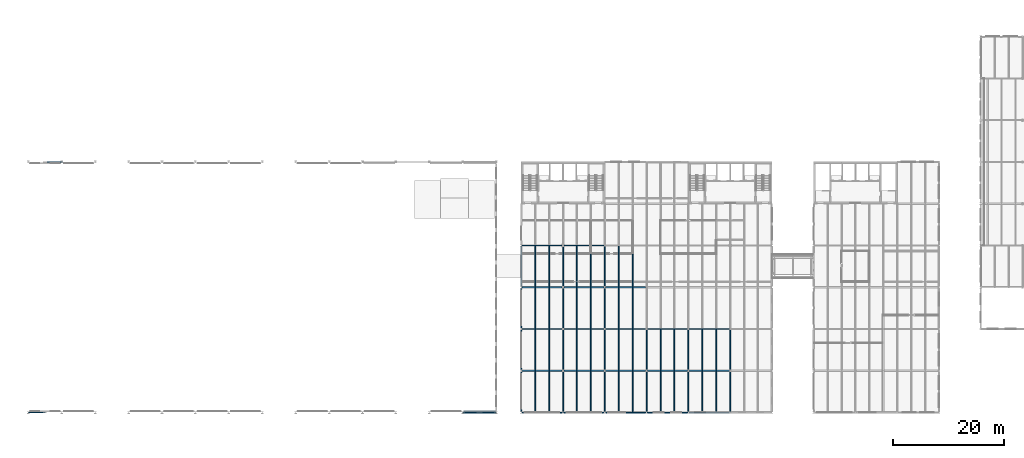
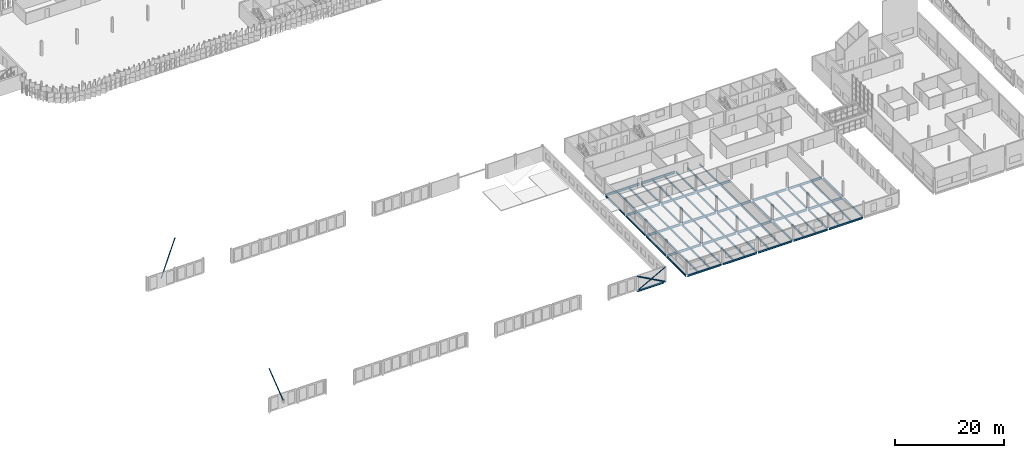
# One storey, part 29 of 198: 71 beams, 5 members.
"""IFC4 building model written with IfcOpenShell, lengths in metres."""

import ifcopenshell
import ifcopenshell.guid

model = None  # the IFC model being written
_history = None  # IfcOwnerHistory: only IFC2X3 demands one
_inside = {}  # id of a spatial element -> (the spatial element, [elements in it])
_under = {}  # id of a project, library or spatial element -> (it, [spatial elements below it])
_declared = {}  # id of a project -> (the project, [libraries it declares])
_typed = {}  # id of a type object -> (the type object, [elements of that type])
_made_of = {}  # id of a material, layer set ... -> (it, [elements and type objects made of it])


def new_model(schema):
    """Start an empty IFC model of exactly this schema.

    Asked for "IFC4X3", IfcOpenShell would pick the latest addendum, in which some entities
    have other attributes; the version numbers below select the first issue.
    IFC2X3 requires an IfcOwnerHistory on every rooted entity: one is made here for all.
    """
    global model, _history
    if schema == "IFC4X3":
        model = ifcopenshell.file(schema_version=(4, 3, 0, 0))
    else:
        model = ifcopenshell.file(schema=schema)
    _inside.clear()
    _under.clear()
    _declared.clear()
    _typed.clear()
    _made_of.clear()
    _history = None
    if model.schema == "IFC2X3":
        org = make("IfcOrganization", Name="unknown")
        user = make(
            "IfcPersonAndOrganization",
            ThePerson=make("IfcPerson", FamilyName="unknown"),
            TheOrganization=org,
        )
        app = make(
            "IfcApplication",
            ApplicationDeveloper=org,
            Version="unknown",
            ApplicationFullName="unknown",
            ApplicationIdentifier="unknown",
        )
        _history = make(
            "IfcOwnerHistory",
            OwningUser=user,
            OwningApplication=app,
            ChangeAction="ADDED",
            CreationDate=0,
        )
    return model


def make(cls, **values):
    """One entity of the class cls with the attributes given. An attribute that is None is left unset."""
    return model.create_entity(
        cls, **{name: value for name, value in values.items() if value is not None}
    )


def rooted(cls, **values):
    """An entity with a GlobalId (a new one), such as an element, a storey or a relation."""
    return make(cls, GlobalId=ifcopenshell.guid.new(), OwnerHistory=_history, **values)


def si_unit(unit_type, name, prefix=None):
    """IfcSIUnit, for example si_unit("LENGTHUNIT", "METRE", prefix="MILLI")."""
    return make("IfcSIUnit", UnitType=unit_type, Prefix=prefix, Name=name)


def assignment(units):
    """IfcUnitAssignment: the units of a project."""
    return None if units is None else make("IfcUnitAssignment", Units=units)


def point(xyz):
    """IfcCartesianPoint."""
    return None if xyz is None else make("IfcCartesianPoint", Coordinates=xyz)


def direction(xyz):
    """IfcDirection."""
    return None if xyz is None else make("IfcDirection", DirectionRatios=xyz)


def frame(location, z_axis=None, x_axis=None):
    """IfcAxis2Placement3D, a coordinate frame: its origin and axes. An axis left out is left unset."""
    return make(
        "IfcAxis2Placement3D",
        Location=point(location),
        Axis=direction(z_axis),
        RefDirection=direction(x_axis),
    )


def frame_2d(location, x_axis=None):
    """IfcAxis2Placement2D, a coordinate frame in the plane: its origin and x axis."""
    return make(
        "IfcAxis2Placement2D", Location=point(location), RefDirection=direction(x_axis)
    )


def origin():
    """The frame at (0, 0, 0) with its axes left unset."""
    return frame((0.0, 0.0, 0.0))


def origin_2d():
    """The frame at (0, 0) in the plane with its x axis left unset."""
    return frame_2d((0.0, 0.0))


def place(relative_to, where):
    """IfcLocalPlacement: puts the frame where relative to a parent placement (None: the world)."""
    return make(
        "IfcLocalPlacement", PlacementRelTo=relative_to, RelativePlacement=where
    )


def context(
    kind, dimensions, precision=None, world=None, true_north=None, identifier=None
):
    """IfcGeometricRepresentationContext, for example the 3D "Model" context."""
    return make(
        "IfcGeometricRepresentationContext",
        ContextIdentifier=identifier,
        ContextType=kind,
        CoordinateSpaceDimension=dimensions,
        Precision=precision,
        WorldCoordinateSystem=world,
        TrueNorth=true_north,
    )


def subcontext(parent, identifier, kind, view, scale=None):
    """IfcGeometricRepresentationSubContext, for example "Body" below "Model"."""
    return make(
        "IfcGeometricRepresentationSubContext",
        ContextIdentifier=identifier,
        ContextType=kind,
        ParentContext=parent,
        TargetScale=scale,
        TargetView=view,
    )


def project(units=None, contexts=None):
    """IfcProject with its units and contexts."""
    return rooted(
        "IfcProject",
        Name="project",
        RepresentationContexts=contexts,
        UnitsInContext=assignment(units),
    )


def spatial(cls, under=None, at=None, **own):
    """A site, building, storey or space (cls), placed at a placement, below another one or the project."""
    s = rooted(cls, ObjectPlacement=at, **own)
    if under is not None:
        _under.setdefault(under.id(), (under, []))[1].append(s)
    return s


def profile(cls, at=None, kind="AREA", **sizes):
    """A parametric profile (cls). Its sizes go by their IFC names, for example OverallWidth=200.0."""
    return make(cls, ProfileType=kind, Position=at, **sizes)


def hollow_circle(**sizes):
    """IfcCircleHollowProfileDef."""
    return profile("IfcCircleHollowProfileDef", **sizes)


def i_section(**sizes):
    """IfcIShapeProfileDef."""
    return profile("IfcIShapeProfileDef", **sizes)


def extrude(swept, where, along, depth):
    """IfcExtrudedAreaSolid: the profile swept, set in the frame where, extruded along a direction by depth."""
    return make(
        "IfcExtrudedAreaSolid",
        SweptArea=swept,
        Position=where,
        ExtrudedDirection=direction(along),
        Depth=depth,
    )


def shape(context_of_items, identifier, shape_type, items):
    """IfcShapeRepresentation: the items that make up one representation, for example the "Body"."""
    return make(
        "IfcShapeRepresentation",
        ContextOfItems=context_of_items,
        RepresentationIdentifier=identifier,
        RepresentationType=shape_type,
        Items=items,
    )


def material(Name=None, Category=None):
    """IfcMaterial."""
    return make("IfcMaterial", Name=Name, Category=Category)


def material_profile(
    of_material, cross_section, Name=None, Category=None, Priority=None
):
    """IfcMaterialProfile: a cross section and its material."""
    return make(
        "IfcMaterialProfile",
        Name=Name,
        Material=of_material,
        Profile=cross_section,
        Priority=Priority,
        Category=Category,
    )


def profile_set(profiles, Name=None, composite=None):
    """IfcMaterialProfileSet."""
    return make(
        "IfcMaterialProfileSet",
        Name=Name,
        MaterialProfiles=profiles,
        CompositeProfile=composite,
    )


def made_of(thing, what):
    """Note that an element or type object is made of a material, layer set ...; save() writes the relation."""
    if what is not None:
        _made_of.setdefault(what.id(), (what, []))[1].append(thing)
    return thing


def type_object(cls, material=None, **own):
    """A type object (cls), such as IfcWallType, which elements share."""
    return made_of(rooted(cls, **own), material)


def element(
    cls,
    number,
    at=None,
    inside=None,
    cuts=None,
    type_object=None,
    material=None,
    context=None,
    identifier="Body",
    shape_type=None,
    held_by="IfcProductDefinitionShape",
    body=None,
    shapes=None,
    **own,
):
    """One element of the class cls, such as IfcWall. Its Tag is "e" and its number.

    at: its placement. inside: the storey or other place that contains it. cuts: it is an
    opening in that element (IfcRelVoidsElement). A single representation is given by context,
    identifier, shape_type and body (its items); several are given by shapes. held_by: the class
    of the entity that holds the representations. save() writes the other relations.
    """
    e = rooted(cls, Tag="e%d" % number, ObjectPlacement=at, **own)
    if body is not None:
        shapes = [shape(context, identifier, shape_type, body)]
    if shapes is not None:
        e.Representation = make(held_by, Representations=shapes)
    if inside is not None:
        _inside.setdefault(inside.id(), (inside, []))[1].append(e)
    if cuts is not None:
        rooted(
            "IfcRelVoidsElement", RelatingBuildingElement=cuts, RelatedOpeningElement=e
        )
    if type_object is not None:
        _typed.setdefault(type_object.id(), (type_object, []))[1].append(e)
    return made_of(e, material)


def aggregate(whole, parts):
    """IfcRelAggregates: a whole, such as a stair, and the parts it consists of."""
    return rooted("IfcRelAggregates", RelatingObject=whole, RelatedObjects=parts)


def save(model, path):
    """Write the relations noted so far, then the file.

    IfcRelAggregates (storeys below a building ...), IfcRelContainedInSpatialStructure (elements
    in a storey), IfcRelDefinesByType, IfcRelAssociatesMaterial and IfcRelDeclares: one each for
    every whole, place, type object, material and project.
    """
    for whole, parts in _under.values():
        aggregate(whole, parts)
    for where, things in _inside.values():
        rooted(
            "IfcRelContainedInSpatialStructure",
            RelatedElements=things,
            RelatingStructure=where,
        )
    for kind, things in _typed.values():
        rooted("IfcRelDefinesByType", RelatedObjects=things, RelatingType=kind)
    for what, things in _made_of.values():
        rooted("IfcRelAssociatesMaterial", RelatedObjects=things, RelatingMaterial=what)
    for by, libraries in _declared.values():
        rooted("IfcRelDeclares", RelatingContext=by, RelatedDefinitions=libraries)
    model.write(path)


model = new_model("IFC4")

# Units and contexts
model_context = context("Model", 3, precision=1e-05, world=origin(), true_north=direction((0.0, 1.0)))
body_context = subcontext(model_context, "Body", "Model", "MODEL_VIEW")
ifc_project = project(units=[si_unit("LENGTHUNIT", "METRE"), si_unit("AREAUNIT", "SQUARE_METRE"), si_unit("VOLUMEUNIT", "CUBIC_METRE"), si_unit("PLANEANGLEUNIT", "RADIAN"), si_unit("MASSUNIT", "GRAM", prefix="KILO")], contexts=[model_context])

# Site, building, storey
site_placement = place(None, origin())
site = spatial("IfcSite", under=ifc_project, at=site_placement, CompositionType="ELEMENT")
building_placement = place(site_placement, origin())
building = spatial("IfcBuilding", under=site, at=building_placement, Name="Parallax Yard Mobility Hub", CompositionType="ELEMENT")
storey_placement = place(building_placement, frame((0.0, 0.0, 6.60009765625)))
storey = spatial("IfcBuildingStorey", under=building, at=storey_placement, Name="L02", CompositionType="ELEMENT", Elevation=6.60009765625)

# Beams
ifc_material_1 = material(Name="Steel ASTM A992", Category="steel")
ifc_material_profile_1 = material_profile(ifc_material_1, i_section(OverallWidth=0.177978515625, OverallDepth=0.406005859375, WebThickness=0.0078125, FlangeThickness=0.0126953125, FilletRadius=0.01025390625, at=origin_2d()), Name="W410x60")
ifc_profile_set_1 = profile_set([ifc_material_profile_1], Name="Steel ASTM A992")
beam_type_1 = type_object("IfcBeamType", Name="W410x60 edge beam", PredefinedType="SPANDREL", material=ifc_profile_set_1)
beam_1_placement = place(storey_placement, frame((87.1865234375, 7.7265625, -0.203125), z_axis=(1.0, 0.0, 0.0), x_axis=(0.0, 1.0, 0.0)))
element("IfcBeam", 1, at=beam_1_placement, inside=storey, type_object=beam_type_1, Name="Edge beam SB1 level L02, south gable between fold lines F14 and F15 of bus and taxi deck, span 1", PredefinedType="SPANDREL", context=body_context, shape_type="SweptSolid", body=[
    extrude(i_section(OverallWidth=0.177978515625, OverallDepth=0.406005859375, WebThickness=0.0078125, FlangeThickness=0.0126953125, FilletRadius=0.01025390625, at=origin_2d()), origin(), (0.0, 0.0, 1.0), 5.626953125),
])
ifc_material_profile_2 = material_profile(ifc_material_1, i_section(OverallWidth=0.177978515625, OverallDepth=0.406005859375, WebThickness=0.0078125, FlangeThickness=0.0126953125, FilletRadius=0.01025390625, at=origin_2d()), Name="W410x60")
ifc_profile_set_2 = profile_set([ifc_material_profile_2], Name="Steel ASTM A992")
beam_type_2 = type_object("IfcBeamType", Name="W410x60 secondary beam", PredefinedType="JOIST", material=ifc_profile_set_2)
beam_2_placement = place(storey_placement, frame((100.0, 7.589599609375, -0.343017578125), z_axis=(0.0, 1.0, 0.0), x_axis=(-1.0, 0.0, 0.0)))
element("IfcBeam", 2, at=beam_2_placement, inside=storey, type_object=beam_type_2, Name="Secondary beam B1 level L02, 2.5 m east of line 14 of mobility service centre and workshops, span 1", PredefinedType="JOIST", context=body_context, shape_type="SweptSolid", body=[
    extrude(i_section(OverallWidth=0.177978515625, OverallDepth=0.406005859375, WebThickness=0.0078125, FlangeThickness=0.0126953125, FilletRadius=0.01025390625, at=origin_2d()), origin(), (0.0, 0.0, 1.0), 7.305908203125),
])
for number, where, z_axis, x_axis, name in (
    (3, (100.0, 15.1044921875, -0.343017578125), (0.0, 1.0, 0.0), (-1.0, 0.0, 0.0), "Secondary beam B1 level L02, 2.5 m east of line 14 of mobility service centre and workshops, span 2"),
    (4, (100.0, 22.6044921875, -0.343017578125), (0.0, 1.0, 0.0), (-1.0, 0.0, 0.0), "Secondary beam B1 level L02, 2.5 m east of line 14 of mobility service centre and workshops, span 3"),
    (5, (100.0, 30.1044921875, -0.343017578125), (0.0, 1.0, 0.0), (-1.0, 0.0, 0.0), "Secondary beam B1 level L02, 2.5 m east of line 14 of mobility service centre and workshops, span 4"),
):
    element("IfcBeam", number, at=place(storey_placement, frame(where, z_axis=z_axis, x_axis=x_axis)), inside=storey, type_object=beam_type_2, Name=name, PredefinedType="JOIST", context=body_context, shape_type="SweptSolid", body=[
        extrude(i_section(OverallWidth=0.177978515625, OverallDepth=0.406005859375, WebThickness=0.0078125, FlangeThickness=0.0126953125, FilletRadius=0.01025390625, at=origin_2d()), origin(), (0.0, 0.0, 1.0), 7.291015625),
    ])
beam_3_placement = place(storey_placement, frame((107.5, 7.589599609375, -0.343017578125), z_axis=(0.0, 1.0, 0.0), x_axis=(-1.0, 0.0, 0.0)))
element("IfcBeam", 6, at=beam_3_placement, inside=storey, type_object=beam_type_2, Name="Secondary beam B1 level L02, 2.5 m east of line 15 of mobility service centre and workshops, span 1", PredefinedType="JOIST", context=body_context, shape_type="SweptSolid", body=[
    extrude(i_section(OverallWidth=0.177978515625, OverallDepth=0.406005859375, WebThickness=0.0078125, FlangeThickness=0.0126953125, FilletRadius=0.01025390625, at=origin_2d()), origin(), (0.0, 0.0, 1.0), 7.305908203125),
])
for number, where, z_axis, x_axis, name in (
    (7, (107.5, 15.1044921875, -0.343017578125), (0.0, 1.0, 0.0), (-1.0, 0.0, 0.0), "Secondary beam B1 level L02, 2.5 m east of line 15 of mobility service centre and workshops, span 2"),
    (8, (107.5, 22.6044921875, -0.343017578125), (0.0, 1.0, 0.0), (-1.0, 0.0, 0.0), "Secondary beam B1 level L02, 2.5 m east of line 15 of mobility service centre and workshops, span 3"),
    (9, (107.5, 30.1044921875, -0.343017578125), (0.0, 1.0, 0.0), (-1.0, 0.0, 0.0), "Secondary beam B1 level L02, 2.5 m east of line 15 of mobility service centre and workshops, span 4"),
):
    element("IfcBeam", number, at=place(storey_placement, frame(where, z_axis=z_axis, x_axis=x_axis)), inside=storey, type_object=beam_type_2, Name=name, PredefinedType="JOIST", context=body_context, shape_type="SweptSolid", body=[
        extrude(i_section(OverallWidth=0.177978515625, OverallDepth=0.406005859375, WebThickness=0.0078125, FlangeThickness=0.0126953125, FilletRadius=0.01025390625, at=origin_2d()), origin(), (0.0, 0.0, 1.0), 7.291015625),
    ])
beam_4_placement = place(storey_placement, frame((115.0, 7.589599609375, -0.343017578125), z_axis=(0.0, 1.0, 0.0), x_axis=(-1.0, 0.0, 0.0)))
element("IfcBeam", 10, at=beam_4_placement, inside=storey, type_object=beam_type_2, Name="Secondary beam B1 level L02, 2.5 m east of line 16 of mobility service centre and workshops, span 1", PredefinedType="JOIST", context=body_context, shape_type="SweptSolid", body=[
    extrude(i_section(OverallWidth=0.177978515625, OverallDepth=0.406005859375, WebThickness=0.0078125, FlangeThickness=0.0126953125, FilletRadius=0.01025390625, at=origin_2d()), origin(), (0.0, 0.0, 1.0), 7.305908203125),
])
for number, where, z_axis, x_axis, name in (
    (11, (115.0, 15.1044921875, -0.343017578125), (0.0, 1.0, 0.0), (-1.0, 0.0, 0.0), "Secondary beam B1 level L02, 2.5 m east of line 16 of mobility service centre and workshops, span 2"),
    (12, (115.0, 22.6044921875, -0.343017578125), (0.0, 1.0, 0.0), (-1.0, 0.0, 0.0), "Secondary beam B1 level L02, 2.5 m east of line 16 of mobility service centre and workshops, span 3"),
    (13, (115.0, 30.1044921875, -0.343017578125), (0.0, 1.0, 0.0), (-1.0, 0.0, 0.0), "Secondary beam B1 level L02, 2.5 m east of line 16 of mobility service centre and workshops, span 4"),
):
    element("IfcBeam", number, at=place(storey_placement, frame(where, z_axis=z_axis, x_axis=x_axis)), inside=storey, type_object=beam_type_2, Name=name, PredefinedType="JOIST", context=body_context, shape_type="SweptSolid", body=[
        extrude(i_section(OverallWidth=0.177978515625, OverallDepth=0.406005859375, WebThickness=0.0078125, FlangeThickness=0.0126953125, FilletRadius=0.01025390625, at=origin_2d()), origin(), (0.0, 0.0, 1.0), 7.291015625),
    ])
beam_5_placement = place(storey_placement, frame((122.5, 7.589599609375, -0.343017578125), z_axis=(0.0, 1.0, 0.0), x_axis=(-1.0, 0.0, 0.0)))
element("IfcBeam", 14, at=beam_5_placement, inside=storey, type_object=beam_type_2, Name="Secondary beam B1 level L02, 2.5 m east of line 17 of mobility service centre and workshops, span 1", PredefinedType="JOIST", context=body_context, shape_type="SweptSolid", body=[
    extrude(i_section(OverallWidth=0.177978515625, OverallDepth=0.406005859375, WebThickness=0.0078125, FlangeThickness=0.0126953125, FilletRadius=0.01025390625, at=origin_2d()), origin(), (0.0, 0.0, 1.0), 7.305908203125),
])
beam_6_placement = place(storey_placement, frame((122.5, 15.1044921875, -0.343017578125), z_axis=(0.0, 1.0, 0.0), x_axis=(-1.0, 0.0, 0.0)))
element("IfcBeam", 15, at=beam_6_placement, inside=storey, type_object=beam_type_2, Name="Secondary beam B1 level L02, 2.5 m east of line 17 of mobility service centre and workshops, span 2", PredefinedType="JOIST", context=body_context, shape_type="SweptSolid", body=[
    extrude(i_section(OverallWidth=0.177978515625, OverallDepth=0.406005859375, WebThickness=0.0078125, FlangeThickness=0.0126953125, FilletRadius=0.01025390625, at=origin_2d()), origin(), (0.0, 0.0, 1.0), 7.291015625),
])
beam_7_placement = place(storey_placement, frame((130.0, 7.589599609375, -0.343017578125), z_axis=(0.0, 1.0, 0.0), x_axis=(-1.0, 0.0, 0.0)))
element("IfcBeam", 16, at=beam_7_placement, inside=storey, type_object=beam_type_2, Name="Secondary beam B1 level L02, 2.5 m east of line 18 of mobility service centre and workshops, span 1", PredefinedType="JOIST", context=body_context, shape_type="SweptSolid", body=[
    extrude(i_section(OverallWidth=0.177978515625, OverallDepth=0.406005859375, WebThickness=0.0078125, FlangeThickness=0.0126953125, FilletRadius=0.01025390625, at=origin_2d()), origin(), (0.0, 0.0, 1.0), 7.305908203125),
])
beam_8_placement = place(storey_placement, frame((130.0, 15.1044921875, -0.343017578125), z_axis=(0.0, 1.0, 0.0), x_axis=(-1.0, 0.0, 0.0)))
element("IfcBeam", 17, at=beam_8_placement, inside=storey, type_object=beam_type_2, Name="Secondary beam B1 level L02, 2.5 m east of line 18 of mobility service centre and workshops, span 2", PredefinedType="JOIST", context=body_context, shape_type="SweptSolid", body=[
    extrude(i_section(OverallWidth=0.177978515625, OverallDepth=0.406005859375, WebThickness=0.0078125, FlangeThickness=0.0126953125, FilletRadius=0.01025390625, at=origin_2d()), origin(), (0.0, 0.0, 1.0), 7.291015625),
])
beam_9_placement = place(storey_placement, frame((102.5, 7.589599609375, -0.343017578125), z_axis=(0.0, 1.0, 0.0), x_axis=(-1.0, 0.0, 0.0)))
element("IfcBeam", 18, at=beam_9_placement, inside=storey, type_object=beam_type_2, Name="Secondary beam B1 level L02, 5 m east of line 14 of mobility service centre and workshops, span 1", PredefinedType="JOIST", context=body_context, shape_type="SweptSolid", body=[
    extrude(i_section(OverallWidth=0.177978515625, OverallDepth=0.406005859375, WebThickness=0.0078125, FlangeThickness=0.0126953125, FilletRadius=0.01025390625, at=origin_2d()), origin(), (0.0, 0.0, 1.0), 7.305908203125),
])
for number, where, z_axis, x_axis, name in (
    (19, (102.5, 15.1044921875, -0.343017578125), (0.0, 1.0, 0.0), (-1.0, 0.0, 0.0), "Secondary beam B1 level L02, 5 m east of line 14 of mobility service centre and workshops, span 2"),
    (20, (102.5, 22.6044921875, -0.343017578125), (0.0, 1.0, 0.0), (-1.0, 0.0, 0.0), "Secondary beam B1 level L02, 5 m east of line 14 of mobility service centre and workshops, span 3"),
    (21, (102.5, 30.1044921875, -0.343017578125), (0.0, 1.0, 0.0), (-1.0, 0.0, 0.0), "Secondary beam B1 level L02, 5 m east of line 14 of mobility service centre and workshops, span 4"),
):
    element("IfcBeam", number, at=place(storey_placement, frame(where, z_axis=z_axis, x_axis=x_axis)), inside=storey, type_object=beam_type_2, Name=name, PredefinedType="JOIST", context=body_context, shape_type="SweptSolid", body=[
        extrude(i_section(OverallWidth=0.177978515625, OverallDepth=0.406005859375, WebThickness=0.0078125, FlangeThickness=0.0126953125, FilletRadius=0.01025390625, at=origin_2d()), origin(), (0.0, 0.0, 1.0), 7.291015625),
    ])
beam_10_placement = place(storey_placement, frame((110.0, 7.589599609375, -0.343017578125), z_axis=(0.0, 1.0, 0.0), x_axis=(-1.0, 0.0, 0.0)))
element("IfcBeam", 22, at=beam_10_placement, inside=storey, type_object=beam_type_2, Name="Secondary beam B1 level L02, 5 m east of line 15 of mobility service centre and workshops, span 1", PredefinedType="JOIST", context=body_context, shape_type="SweptSolid", body=[
    extrude(i_section(OverallWidth=0.177978515625, OverallDepth=0.406005859375, WebThickness=0.0078125, FlangeThickness=0.0126953125, FilletRadius=0.01025390625, at=origin_2d()), origin(), (0.0, 0.0, 1.0), 7.305908203125),
])
for number, where, z_axis, x_axis, name in (
    (23, (110.0, 15.1044921875, -0.343017578125), (0.0, 1.0, 0.0), (-1.0, 0.0, 0.0), "Secondary beam B1 level L02, 5 m east of line 15 of mobility service centre and workshops, span 2"),
    (24, (110.0, 22.6044921875, -0.343017578125), (0.0, 1.0, 0.0), (-1.0, 0.0, 0.0), "Secondary beam B1 level L02, 5 m east of line 15 of mobility service centre and workshops, span 3"),
    (25, (110.0, 30.1044921875, -0.343017578125), (0.0, 1.0, 0.0), (-1.0, 0.0, 0.0), "Secondary beam B1 level L02, 5 m east of line 15 of mobility service centre and workshops, span 4"),
):
    element("IfcBeam", number, at=place(storey_placement, frame(where, z_axis=z_axis, x_axis=x_axis)), inside=storey, type_object=beam_type_2, Name=name, PredefinedType="JOIST", context=body_context, shape_type="SweptSolid", body=[
        extrude(i_section(OverallWidth=0.177978515625, OverallDepth=0.406005859375, WebThickness=0.0078125, FlangeThickness=0.0126953125, FilletRadius=0.01025390625, at=origin_2d()), origin(), (0.0, 0.0, 1.0), 7.291015625),
    ])
beam_11_placement = place(storey_placement, frame((117.5, 7.589599609375, -0.343017578125), z_axis=(0.0, 1.0, 0.0), x_axis=(-1.0, 0.0, 0.0)))
element("IfcBeam", 26, at=beam_11_placement, inside=storey, type_object=beam_type_2, Name="Secondary beam B1 level L02, 5 m east of line 16 of mobility service centre and workshops, span 1", PredefinedType="JOIST", context=body_context, shape_type="SweptSolid", body=[
    extrude(i_section(OverallWidth=0.177978515625, OverallDepth=0.406005859375, WebThickness=0.0078125, FlangeThickness=0.0126953125, FilletRadius=0.01025390625, at=origin_2d()), origin(), (0.0, 0.0, 1.0), 7.305908203125),
])
for number, where, z_axis, x_axis, name in (
    (27, (117.5, 15.1044921875, -0.343017578125), (0.0, 1.0, 0.0), (-1.0, 0.0, 0.0), "Secondary beam B1 level L02, 5 m east of line 16 of mobility service centre and workshops, span 2"),
    (28, (117.5, 22.6044921875, -0.343017578125), (0.0, 1.0, 0.0), (-1.0, 0.0, 0.0), "Secondary beam B1 level L02, 5 m east of line 16 of mobility service centre and workshops, span 3"),
    (29, (117.5, 30.1044921875, -0.343017578125), (0.0, 1.0, 0.0), (-1.0, 0.0, 0.0), "Secondary beam B1 level L02, 5 m east of line 16 of mobility service centre and workshops, span 4"),
):
    element("IfcBeam", number, at=place(storey_placement, frame(where, z_axis=z_axis, x_axis=x_axis)), inside=storey, type_object=beam_type_2, Name=name, PredefinedType="JOIST", context=body_context, shape_type="SweptSolid", body=[
        extrude(i_section(OverallWidth=0.177978515625, OverallDepth=0.406005859375, WebThickness=0.0078125, FlangeThickness=0.0126953125, FilletRadius=0.01025390625, at=origin_2d()), origin(), (0.0, 0.0, 1.0), 7.291015625),
    ])
beam_12_placement = place(storey_placement, frame((125.0, 7.589599609375, -0.343017578125), z_axis=(0.0, 1.0, 0.0), x_axis=(-1.0, 0.0, 0.0)))
element("IfcBeam", 30, at=beam_12_placement, inside=storey, type_object=beam_type_2, Name="Secondary beam B1 level L02, 5 m east of line 17 of mobility service centre and workshops, span 1", PredefinedType="JOIST", context=body_context, shape_type="SweptSolid", body=[
    extrude(i_section(OverallWidth=0.177978515625, OverallDepth=0.406005859375, WebThickness=0.0078125, FlangeThickness=0.0126953125, FilletRadius=0.01025390625, at=origin_2d()), origin(), (0.0, 0.0, 1.0), 7.305908203125),
])
beam_13_placement = place(storey_placement, frame((125.0, 15.1044921875, -0.343017578125), z_axis=(0.0, 1.0, 0.0), x_axis=(-1.0, 0.0, 0.0)))
element("IfcBeam", 31, at=beam_13_placement, inside=storey, type_object=beam_type_2, Name="Secondary beam B1 level L02, 5 m east of line 17 of mobility service centre and workshops, span 2", PredefinedType="JOIST", context=body_context, shape_type="SweptSolid", body=[
    extrude(i_section(OverallWidth=0.177978515625, OverallDepth=0.406005859375, WebThickness=0.0078125, FlangeThickness=0.0126953125, FilletRadius=0.01025390625, at=origin_2d()), origin(), (0.0, 0.0, 1.0), 7.291015625),
])
beam_14_placement = place(storey_placement, frame((132.5, 7.589599609375, -0.343017578125), z_axis=(0.0, 1.0, 0.0), x_axis=(-1.0, 0.0, 0.0)))
element("IfcBeam", 32, at=beam_14_placement, inside=storey, type_object=beam_type_2, Name="Secondary beam B1 level L02, 5 m east of line 18 of mobility service centre and workshops, span 1", PredefinedType="JOIST", context=body_context, shape_type="SweptSolid", body=[
    extrude(i_section(OverallWidth=0.177978515625, OverallDepth=0.406005859375, WebThickness=0.0078125, FlangeThickness=0.0126953125, FilletRadius=0.01025390625, at=origin_2d()), origin(), (0.0, 0.0, 1.0), 7.305908203125),
])
beam_15_placement = place(storey_placement, frame((132.5, 15.1044921875, -0.343017578125), z_axis=(0.0, 1.0, 0.0), x_axis=(-1.0, 0.0, 0.0)))
element("IfcBeam", 33, at=beam_15_placement, inside=storey, type_object=beam_type_2, Name="Secondary beam B1 level L02, 5 m east of line 18 of mobility service centre and workshops, span 2", PredefinedType="JOIST", context=body_context, shape_type="SweptSolid", body=[
    extrude(i_section(OverallWidth=0.177978515625, OverallDepth=0.406005859375, WebThickness=0.0078125, FlangeThickness=0.0126953125, FilletRadius=0.01025390625, at=origin_2d()), origin(), (0.0, 0.0, 1.0), 7.291015625),
])
ifc_material_profile_3 = material_profile(ifc_material_1, i_section(OverallWidth=0.178955078125, OverallDepth=0.408935546875, WebThickness=0.0087890625, FlangeThickness=0.014404296875, FilletRadius=0.01025390625, at=origin_2d()), Name="W410x67")
ifc_profile_set_3 = profile_set([ifc_material_profile_3], Name="Steel ASTM A992")
beam_type_3 = type_object("IfcBeamType", Name="W410x67 edge beam", PredefinedType="SPANDREL", material=ifc_profile_set_3)
for number, where, z_axis, x_axis, name in (
    (34, (97.5, 7.653564453125, -0.344482421875), (0.0, 1.0, 0.0), (-1.0, 0.0, 0.0), "Edge beam SB3 level L02, line 14 of mobility service centre and workshops, span 1"),
    (35, (97.5, 15.153564453125, -0.344482421875), (0.0, 1.0, 0.0), (-1.0, 0.0, 0.0), "Edge beam SB3 level L02, line 14 of mobility service centre and workshops, span 2"),
    (36, (97.5, 22.653564453125, -0.344482421875), (0.0, 1.0, 0.0), (-1.0, 0.0, 0.0), "Edge beam SB3 level L02, line 14 of mobility service centre and workshops, span 3"),
):
    element("IfcBeam", number, at=place(storey_placement, frame(where, z_axis=z_axis, x_axis=x_axis)), inside=storey, type_object=beam_type_3, Name=name, PredefinedType="SPANDREL", context=body_context, shape_type="SweptSolid", body=[
        extrude(i_section(OverallWidth=0.178955078125, OverallDepth=0.408935546875, WebThickness=0.0087890625, FlangeThickness=0.014404296875, FilletRadius=0.01025390625, at=origin_2d()), origin(), (0.0, 0.0, 1.0), 7.19287109375),
    ])
beam_16_placement = place(storey_placement, frame((97.5, 30.153564453125, -0.344482421875), z_axis=(0.0, 1.0, 0.0), x_axis=(-1.0, 0.0, 0.0)))
element("IfcBeam", 37, at=beam_16_placement, inside=storey, type_object=beam_type_3, Name="Edge beam SB3 level L02, line 14 of mobility service centre and workshops, span 4", PredefinedType="SPANDREL", context=body_context, shape_type="SweptSolid", body=[
    extrude(i_section(OverallWidth=0.178955078125, OverallDepth=0.408935546875, WebThickness=0.0087890625, FlangeThickness=0.014404296875, FilletRadius=0.01025390625, at=origin_2d()), origin(), (0.0, 0.0, 1.0), 7.1875),
])
for number, where, z_axis, x_axis, name in (
    (38, (97.652587890625, 7.5, -0.344482421875), (1.0, 0.0, 0.0), (0.0, 1.0, 0.0), "Edge beam SB3 level L02, line B of mobility service centre and workshops, span 1"),
    (39, (105.152587890625, 7.5, -0.344482421875), (1.0, 0.0, 0.0), (0.0, 1.0, 0.0), "Edge beam SB3 level L02, line B of mobility service centre and workshops, span 2"),
    (40, (112.652587890625, 7.5, -0.344482421875), (1.0, 0.0, 0.0), (0.0, 1.0, 0.0), "Edge beam SB3 level L02, line B of mobility service centre and workshops, span 3"),
    (41, (120.152587890625, 7.5, -0.344482421875), (1.0, 0.0, 0.0), (0.0, 1.0, 0.0), "Edge beam SB3 level L02, line B of mobility service centre and workshops, span 4"),
    (42, (127.652587890625, 7.5, -0.344482421875), (1.0, 0.0, 0.0), (0.0, 1.0, 0.0), "Edge beam SB3 level L02, line B of mobility service centre and workshops, span 5"),
):
    element("IfcBeam", number, at=place(storey_placement, frame(where, z_axis=z_axis, x_axis=x_axis)), inside=storey, type_object=beam_type_3, Name=name, PredefinedType="SPANDREL", context=body_context, shape_type="SweptSolid", body=[
        extrude(i_section(OverallWidth=0.178955078125, OverallDepth=0.408935546875, WebThickness=0.0087890625, FlangeThickness=0.014404296875, FilletRadius=0.01025390625, at=origin_2d()), origin(), (0.0, 0.0, 1.0), 7.19482421875),
    ])
ifc_material_profile_4 = material_profile(ifc_material_1, i_section(OverallWidth=0.178955078125, OverallDepth=0.408935546875, WebThickness=0.0087890625, FlangeThickness=0.014404296875, FilletRadius=0.01025390625, at=origin_2d()), Name="W410x67")
ifc_profile_set_4 = profile_set([ifc_material_profile_4], Name="Steel ASTM A992")
beam_type_4 = type_object("IfcBeamType", Name="W410x67 girder", PredefinedType="BEAM", material=ifc_profile_set_4)
beam_17_placement = place(storey_placement, frame((105.0, 7.653564453125, -0.344482421875), z_axis=(0.0, 1.0, 0.0), x_axis=(-1.0, 0.0, 0.0)))
element("IfcBeam", 43, at=beam_17_placement, inside=storey, type_object=beam_type_4, Name="Girder G1 level L02, line 15 of mobility service centre and workshops, span 1", PredefinedType="BEAM", context=body_context, shape_type="SweptSolid", body=[
    extrude(i_section(OverallWidth=0.178955078125, OverallDepth=0.408935546875, WebThickness=0.0087890625, FlangeThickness=0.014404296875, FilletRadius=0.01025390625, at=origin_2d()), origin(), (0.0, 0.0, 1.0), 7.1904296875),
])
for number, where, z_axis, x_axis, name in (
    (44, (105.0, 15.156005859375, -0.344482421875), (0.0, 1.0, 0.0), (-1.0, 0.0, 0.0), "Girder G1 level L02, line 15 of mobility service centre and workshops, span 2"),
    (45, (105.0, 22.656005859375, -0.344482421875), (0.0, 1.0, 0.0), (-1.0, 0.0, 0.0), "Girder G1 level L02, line 15 of mobility service centre and workshops, span 3"),
):
    element("IfcBeam", number, at=place(storey_placement, frame(where, z_axis=z_axis, x_axis=x_axis)), inside=storey, type_object=beam_type_4, Name=name, PredefinedType="BEAM", context=body_context, shape_type="SweptSolid", body=[
        extrude(i_section(OverallWidth=0.178955078125, OverallDepth=0.408935546875, WebThickness=0.0087890625, FlangeThickness=0.014404296875, FilletRadius=0.01025390625, at=origin_2d()), origin(), (0.0, 0.0, 1.0), 7.18798828125),
    ])
beam_18_placement = place(storey_placement, frame((105.0, 30.156005859375, -0.344482421875), z_axis=(0.0, 1.0, 0.0), x_axis=(-1.0, 0.0, 0.0)))
element("IfcBeam", 46, at=beam_18_placement, inside=storey, type_object=beam_type_4, Name="Girder G1 level L02, line 15 of mobility service centre and workshops, span 4", PredefinedType="BEAM", context=body_context, shape_type="SweptSolid", body=[
    extrude(i_section(OverallWidth=0.178955078125, OverallDepth=0.408935546875, WebThickness=0.0087890625, FlangeThickness=0.014404296875, FilletRadius=0.01025390625, at=origin_2d()), origin(), (0.0, 0.0, 1.0), 7.153564453125),
])
beam_19_placement = place(storey_placement, frame((112.5, 7.653564453125, -0.344482421875), z_axis=(0.0, 1.0, 0.0), x_axis=(-1.0, 0.0, 0.0)))
element("IfcBeam", 47, at=beam_19_placement, inside=storey, type_object=beam_type_4, Name="Girder G1 level L02, line 16 of mobility service centre and workshops, span 1", PredefinedType="BEAM", context=body_context, shape_type="SweptSolid", body=[
    extrude(i_section(OverallWidth=0.178955078125, OverallDepth=0.408935546875, WebThickness=0.0087890625, FlangeThickness=0.014404296875, FilletRadius=0.01025390625, at=origin_2d()), origin(), (0.0, 0.0, 1.0), 7.1904296875),
])
for number, where, z_axis, x_axis, name in (
    (48, (112.5, 15.156005859375, -0.344482421875), (0.0, 1.0, 0.0), (-1.0, 0.0, 0.0), "Girder G1 level L02, line 16 of mobility service centre and workshops, span 2"),
    (49, (112.5, 22.656005859375, -0.344482421875), (0.0, 1.0, 0.0), (-1.0, 0.0, 0.0), "Girder G1 level L02, line 16 of mobility service centre and workshops, span 3"),
):
    element("IfcBeam", number, at=place(storey_placement, frame(where, z_axis=z_axis, x_axis=x_axis)), inside=storey, type_object=beam_type_4, Name=name, PredefinedType="BEAM", context=body_context, shape_type="SweptSolid", body=[
        extrude(i_section(OverallWidth=0.178955078125, OverallDepth=0.408935546875, WebThickness=0.0087890625, FlangeThickness=0.014404296875, FilletRadius=0.01025390625, at=origin_2d()), origin(), (0.0, 0.0, 1.0), 7.18798828125),
    ])
beam_20_placement = place(storey_placement, frame((112.5, 30.156005859375, -0.344482421875), z_axis=(0.0, 1.0, 0.0), x_axis=(-1.0, 0.0, 0.0)))
element("IfcBeam", 50, at=beam_20_placement, inside=storey, type_object=beam_type_4, Name="Girder G1 level L02, line 16 of mobility service centre and workshops, span 4", PredefinedType="BEAM", context=body_context, shape_type="SweptSolid", body=[
    extrude(i_section(OverallWidth=0.178955078125, OverallDepth=0.408935546875, WebThickness=0.0087890625, FlangeThickness=0.014404296875, FilletRadius=0.01025390625, at=origin_2d()), origin(), (0.0, 0.0, 1.0), 7.179931640625),
])
beam_21_placement = place(storey_placement, frame((120.0, 7.653564453125, -0.344482421875), z_axis=(0.0, 1.0, 0.0), x_axis=(-1.0, 0.0, 0.0)))
element("IfcBeam", 51, at=beam_21_placement, inside=storey, type_object=beam_type_4, Name="Girder G1 level L02, line 17 of mobility service centre and workshops, span 1", PredefinedType="BEAM", context=body_context, shape_type="SweptSolid", body=[
    extrude(i_section(OverallWidth=0.178955078125, OverallDepth=0.408935546875, WebThickness=0.0087890625, FlangeThickness=0.014404296875, FilletRadius=0.01025390625, at=origin_2d()), origin(), (0.0, 0.0, 1.0), 7.1904296875),
])
beam_22_placement = place(storey_placement, frame((120.0, 15.156005859375, -0.344482421875), z_axis=(0.0, 1.0, 0.0), x_axis=(-1.0, 0.0, 0.0)))
element("IfcBeam", 52, at=beam_22_placement, inside=storey, type_object=beam_type_4, Name="Girder G1 level L02, line 17 of mobility service centre and workshops, span 2", PredefinedType="BEAM", context=body_context, shape_type="SweptSolid", body=[
    extrude(i_section(OverallWidth=0.178955078125, OverallDepth=0.408935546875, WebThickness=0.0087890625, FlangeThickness=0.014404296875, FilletRadius=0.01025390625, at=origin_2d()), origin(), (0.0, 0.0, 1.0), 7.18798828125),
])
beam_23_placement = place(storey_placement, frame((127.5, 7.653564453125, -0.344482421875), z_axis=(0.0, 1.0, 0.0), x_axis=(-1.0, 0.0, 0.0)))
element("IfcBeam", 53, at=beam_23_placement, inside=storey, type_object=beam_type_4, Name="Girder G1 level L02, line 18 of mobility service centre and workshops, span 1", PredefinedType="BEAM", context=body_context, shape_type="SweptSolid", body=[
    extrude(i_section(OverallWidth=0.178955078125, OverallDepth=0.408935546875, WebThickness=0.0087890625, FlangeThickness=0.014404296875, FilletRadius=0.01025390625, at=origin_2d()), origin(), (0.0, 0.0, 1.0), 7.1904296875),
])
beam_24_placement = place(storey_placement, frame((127.5, 15.156005859375, -0.344482421875), z_axis=(0.0, 1.0, 0.0), x_axis=(-1.0, 0.0, 0.0)))
element("IfcBeam", 54, at=beam_24_placement, inside=storey, type_object=beam_type_4, Name="Girder G1 level L02, line 18 of mobility service centre and workshops, span 2", PredefinedType="BEAM", context=body_context, shape_type="SweptSolid", body=[
    extrude(i_section(OverallWidth=0.178955078125, OverallDepth=0.408935546875, WebThickness=0.0087890625, FlangeThickness=0.014404296875, FilletRadius=0.01025390625, at=origin_2d()), origin(), (0.0, 0.0, 1.0), 7.18798828125),
])
beam_25_placement = place(storey_placement, frame((135.0, 7.653564453125, -0.344482421875), z_axis=(0.0, 1.0, 0.0), x_axis=(-1.0, 0.0, 0.0)))
element("IfcBeam", 55, at=beam_25_placement, inside=storey, type_object=beam_type_4, Name="Girder G1 level L02, line 19 of mobility service centre and workshops, span 1", PredefinedType="BEAM", context=body_context, shape_type="SweptSolid", body=[
    extrude(i_section(OverallWidth=0.178955078125, OverallDepth=0.408935546875, WebThickness=0.0087890625, FlangeThickness=0.014404296875, FilletRadius=0.01025390625, at=origin_2d()), origin(), (0.0, 0.0, 1.0), 7.1904296875),
])
beam_26_placement = place(storey_placement, frame((135.0, 15.156005859375, -0.344482421875), z_axis=(0.0, 1.0, 0.0), x_axis=(-1.0, 0.0, 0.0)))
element("IfcBeam", 56, at=beam_26_placement, inside=storey, type_object=beam_type_4, Name="Girder G1 level L02, line 19 of mobility service centre and workshops, span 2", PredefinedType="BEAM", context=body_context, shape_type="SweptSolid", body=[
    extrude(i_section(OverallWidth=0.178955078125, OverallDepth=0.408935546875, WebThickness=0.0087890625, FlangeThickness=0.014404296875, FilletRadius=0.01025390625, at=origin_2d()), origin(), (0.0, 0.0, 1.0), 7.18798828125),
])
ifc_material_profile_5 = material_profile(ifc_material_1, i_section(OverallWidth=0.208984375, OverallDepth=0.532958984375, WebThickness=0.01025390625, FlangeThickness=0.015625, FilletRadius=0.0126953125, at=origin_2d()), Name="W530x92")
ifc_profile_set_5 = profile_set([ifc_material_profile_5], Name="Steel ASTM A992")
beam_type_5 = type_object("IfcBeamType", Name="W530x92 longitudinal beam", PredefinedType="BEAM", material=ifc_profile_set_5)
for number, where, z_axis, x_axis, name in (
    (57, (97.652587890625, 15.0, -0.406494140625), (1.0, 0.0, 0.0), (0.0, 1.0, 0.0), "Longitudinal beam SB6 level L02, line C of mobility service centre and workshops, span 1"),
    (58, (105.152587890625, 15.0, -0.406494140625), (1.0, 0.0, 0.0), (0.0, 1.0, 0.0), "Longitudinal beam SB6 level L02, line C of mobility service centre and workshops, span 2"),
    (59, (112.652587890625, 15.0, -0.406494140625), (1.0, 0.0, 0.0), (0.0, 1.0, 0.0), "Longitudinal beam SB6 level L02, line C of mobility service centre and workshops, span 3"),
    (60, (120.152587890625, 15.0, -0.406494140625), (1.0, 0.0, 0.0), (0.0, 1.0, 0.0), "Longitudinal beam SB6 level L02, line C of mobility service centre and workshops, span 4"),
    (61, (127.652587890625, 15.0, -0.406494140625), (1.0, 0.0, 0.0), (0.0, 1.0, 0.0), "Longitudinal beam SB6 level L02, line C of mobility service centre and workshops, span 5"),
    (62, (97.652587890625, 22.5, -0.406494140625), (1.0, 0.0, 0.0), (0.0, 1.0, 0.0), "Longitudinal beam SB6 level L02, line D of mobility service centre and workshops, span 1"),
    (63, (105.152587890625, 22.5, -0.406494140625), (1.0, 0.0, 0.0), (0.0, 1.0, 0.0), "Longitudinal beam SB6 level L02, line D of mobility service centre and workshops, span 2"),
    (64, (112.652587890625, 22.5, -0.406494140625), (1.0, 0.0, 0.0), (0.0, 1.0, 0.0), "Longitudinal beam SB6 level L02, line D of mobility service centre and workshops, span 3"),
    (65, (120.152587890625, 22.5, -0.406494140625), (1.0, 0.0, 0.0), (0.0, 1.0, 0.0), "Longitudinal beam SB6 level L02, line D of mobility service centre and workshops, span 4"),
    (66, (127.652587890625, 22.5, -0.406494140625), (1.0, 0.0, 0.0), (0.0, 1.0, 0.0), "Longitudinal beam SB6 level L02, line D of mobility service centre and workshops, span 5"),
    (67, (97.652587890625, 30.0, -0.406494140625), (1.0, 0.0, 0.0), (0.0, 1.0, 0.0), "Longitudinal beam SB6 level L02, line E of mobility service centre and workshops, span 1"),
    (68, (105.152587890625, 30.0, -0.406494140625), (1.0, 0.0, 0.0), (0.0, 1.0, 0.0), "Longitudinal beam SB6 level L02, line E of mobility service centre and workshops, span 2"),
    (69, (112.652587890625, 30.0, -0.406494140625), (1.0, 0.0, 0.0), (0.0, 1.0, 0.0), "Longitudinal beam SB6 level L02, line E of mobility service centre and workshops, span 3"),
):
    element("IfcBeam", number, at=place(storey_placement, frame(where, z_axis=z_axis, x_axis=x_axis)), inside=storey, type_object=beam_type_5, Name=name, PredefinedType="BEAM", context=body_context, shape_type="SweptSolid", body=[
        extrude(i_section(OverallWidth=0.208984375, OverallDepth=0.532958984375, WebThickness=0.01025390625, FlangeThickness=0.015625, FilletRadius=0.0126953125, at=origin_2d()), origin(), (0.0, 0.0, 1.0), 7.19482421875),
    ])
beam_27_placement = place(storey_placement, frame((97.653564453125, 37.5, -0.406494140625), z_axis=(1.0, 0.0, 0.0), x_axis=(0.0, 1.0, 0.0)))
element("IfcBeam", 70, at=beam_27_placement, inside=storey, type_object=beam_type_5, Name="Longitudinal beam SB6 level L02, line F of mobility service centre and workshops, span 1", PredefinedType="BEAM", context=body_context, shape_type="SweptSolid", body=[
    extrude(i_section(OverallWidth=0.208984375, OverallDepth=0.532958984375, WebThickness=0.01025390625, FlangeThickness=0.015625, FilletRadius=0.0126953125, at=origin_2d()), origin(), (0.0, 0.0, 1.0), 7.1484375),
])
beam_28_placement = place(storey_placement, frame((105.197998046875, 37.5, -0.406494140625), z_axis=(1.0, 0.0, 0.0), x_axis=(0.0, 1.0, 0.0)))
element("IfcBeam", 71, at=beam_28_placement, inside=storey, type_object=beam_type_5, Name="Longitudinal beam SB6 level L02, line F of mobility service centre and workshops, span 2", PredefinedType="BEAM", context=body_context, shape_type="SweptSolid", body=[
    extrude(i_section(OverallWidth=0.208984375, OverallDepth=0.532958984375, WebThickness=0.01025390625, FlangeThickness=0.015625, FilletRadius=0.0126953125, at=origin_2d()), origin(), (0.0, 0.0, 1.0), 7.14697265625),
])

# Members
ifc_material_2 = material(Name="Steel ASTM A500 Gr C", Category="steel")
ifc_material_profile_6 = material_profile(ifc_material_2, hollow_circle(Radius=0.0888671875, WallThickness=0.0078125, at=origin_2d()), Name="HSS177.8x7.9")
ifc_profile_set_6 = profile_set([ifc_material_profile_6], Name="Steel ASTM A500 Gr C")
member_type_1 = type_object("IfcMemberType", Name="Wall brace HSS177.8x7.9", PredefinedType="BRACE", material=ifc_profile_set_6)
member_placement = place(storey_placement, frame((87.0, 7.5, 0.0), z_axis=(0.876227952683, 0.0, 0.48189685093), x_axis=(0.0, 1.0, 0.0)))
element("IfcMember", 72, at=member_placement, inside=storey, type_object=member_type_1, Name="X brace east end bay south face level 2 1", PredefinedType="BRACE", context=body_context, shape_type="SweptSolid", body=[
    extrude(hollow_circle(Radius=0.0888671875, WallThickness=0.0078125, at=origin_2d()), origin(), (0.0, 0.0, 1.0), 6.847412109375),
])
for number, where, z_axis, x_axis, name in (
    (73, (93.0, 7.5, 0.0), (-0.876220551786, 0.0, 0.481910307659), (0.0, -1.0, 0.0), "X brace east end bay south face level 2 2 (half 1)"),
    (74, (89.918212890625, 7.5, 1.69482421875), (-0.876220551786, 0.0, 0.481910307659), (0.0, -1.0, 0.0), "X brace east end bay south face level 2 2 (half 2)"),
):
    element("IfcMember", number, at=place(storey_placement, frame(where, z_axis=z_axis, x_axis=x_axis)), inside=storey, type_object=member_type_1, Name=name, PredefinedType="BRACE", context=body_context, shape_type="SweptSolid", body=[
        extrude(hollow_circle(Radius=0.0888671875, WallThickness=0.0078125, at=origin_2d()), origin(), (0.0, 0.0, 1.0), 3.33056640625),
    ])
ifc_material_profile_7 = material_profile(ifc_material_2, hollow_circle(Radius=0.109619140625, WallThickness=0.008056640625, at=origin_2d()), Name="HSS219.1x8.0")
ifc_profile_set_7 = profile_set([ifc_material_profile_7], Name="Steel ASTM A500 Gr C")
member_type_2 = type_object("IfcMemberType", Name="Wall brace HSS219.1x8.0", PredefinedType="BRACE", material=ifc_profile_set_7)
for number, where, z_axis, x_axis, name in (
    (75, (11.947021484375, 7.5, 1.795654296875), (-0.341745336253, 0.0, 0.939792596879), (0.0, -1.0, 0.0), "X brace west end bay south face level 0 2 (half 2)"),
    (76, (12.052978515625, 52.5, 1.795654296875), (0.341745336253, 0.0, 0.939792596879), (0.0, 1.0, 0.0), "X brace west end bay north face level 0 1 (half 2)"),
):
    element("IfcMember", number, at=place(storey_placement, frame(where, z_axis=z_axis, x_axis=x_axis)), inside=storey, type_object=member_type_2, Name=name, PredefinedType="BRACE", context=body_context, shape_type="SweptSolid", body=[
        extrude(hollow_circle(Radius=0.109619140625, WallThickness=0.008056640625, at=origin_2d()), origin(), (0.0, 0.0, 1.0), 8.62353515625),
    ])

save(model, "model.ifc")
